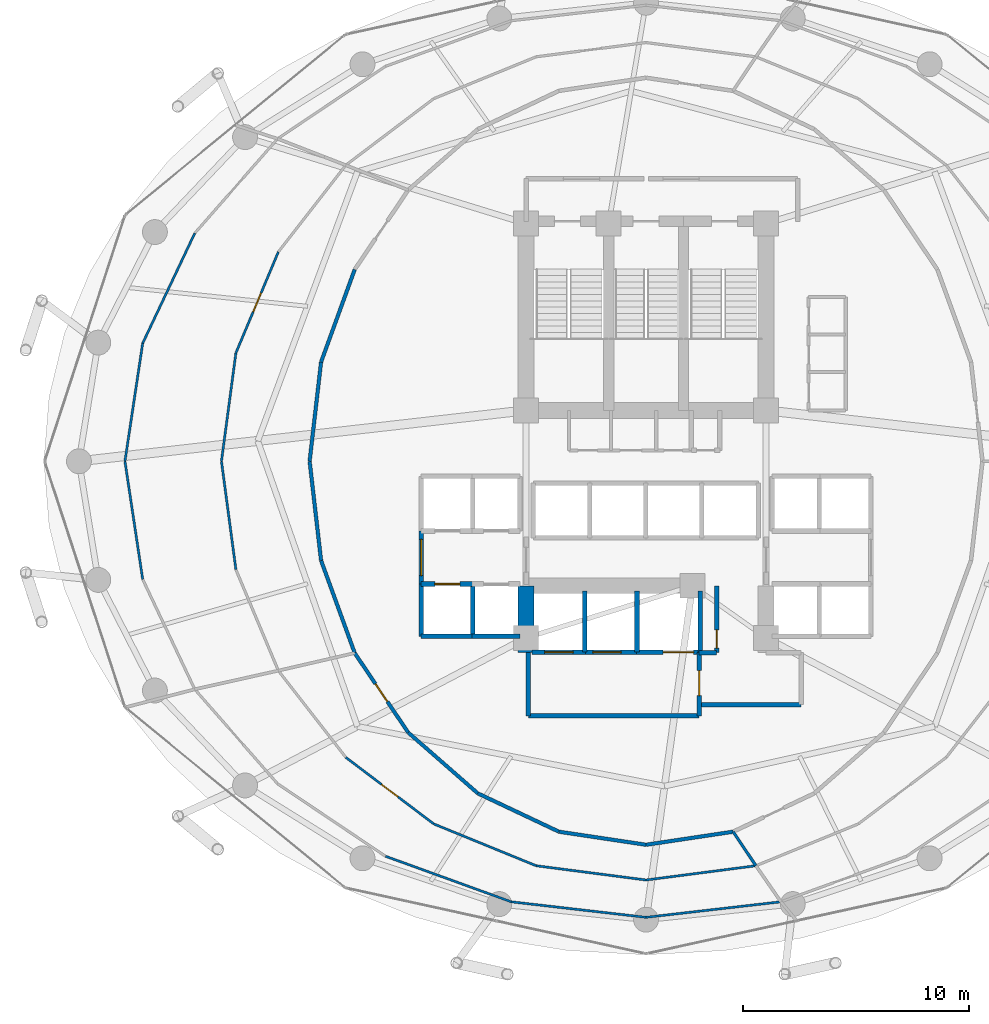
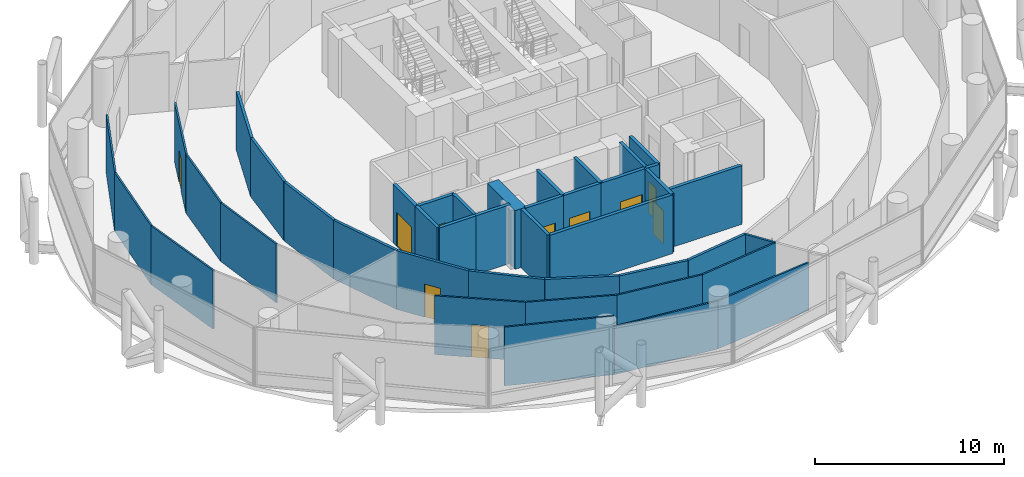
# One storey, part 21 of 26: 42 walls, 10 doors, 10 openings.
"""IFC4 building model written with IfcOpenShell, lengths in metres."""

import ifcopenshell
import ifcopenshell.guid

model = None  # the IFC model being written
_history = None  # IfcOwnerHistory: only IFC2X3 demands one
_inside = {}  # id of a spatial element -> (the spatial element, [elements in it])
_under = {}  # id of a project, library or spatial element -> (it, [spatial elements below it])
_declared = {}  # id of a project -> (the project, [libraries it declares])
_typed = {}  # id of a type object -> (the type object, [elements of that type])
_made_of = {}  # id of a material, layer set ... -> (it, [elements and type objects made of it])


def new_model(schema):
    """Start an empty IFC model of exactly this schema.

    Asked for "IFC4X3", IfcOpenShell would pick the latest addendum, in which some entities
    have other attributes; the version numbers below select the first issue.
    IFC2X3 requires an IfcOwnerHistory on every rooted entity: one is made here for all.
    """
    global model, _history
    if schema == "IFC4X3":
        model = ifcopenshell.file(schema_version=(4, 3, 0, 0))
    else:
        model = ifcopenshell.file(schema=schema)
    _inside.clear()
    _under.clear()
    _declared.clear()
    _typed.clear()
    _made_of.clear()
    _history = None
    if model.schema == "IFC2X3":
        org = make("IfcOrganization", Name="unknown")
        user = make(
            "IfcPersonAndOrganization",
            ThePerson=make("IfcPerson", FamilyName="unknown"),
            TheOrganization=org,
        )
        app = make(
            "IfcApplication",
            ApplicationDeveloper=org,
            Version="unknown",
            ApplicationFullName="unknown",
            ApplicationIdentifier="unknown",
        )
        _history = make(
            "IfcOwnerHistory",
            OwningUser=user,
            OwningApplication=app,
            ChangeAction="ADDED",
            CreationDate=0,
        )
    return model


def make(cls, **values):
    """One entity of the class cls with the attributes given. An attribute that is None is left unset."""
    return model.create_entity(
        cls, **{name: value for name, value in values.items() if value is not None}
    )


def rooted(cls, **values):
    """An entity with a GlobalId (a new one), such as an element, a storey or a relation."""
    return make(cls, GlobalId=ifcopenshell.guid.new(), OwnerHistory=_history, **values)


def si_unit(unit_type, name, prefix=None):
    """IfcSIUnit, for example si_unit("LENGTHUNIT", "METRE", prefix="MILLI")."""
    return make("IfcSIUnit", UnitType=unit_type, Prefix=prefix, Name=name)


def assignment(units):
    """IfcUnitAssignment: the units of a project."""
    return None if units is None else make("IfcUnitAssignment", Units=units)


def point(xyz):
    """IfcCartesianPoint."""
    return None if xyz is None else make("IfcCartesianPoint", Coordinates=xyz)


def direction(xyz):
    """IfcDirection."""
    return None if xyz is None else make("IfcDirection", DirectionRatios=xyz)


def frame(location, z_axis=None, x_axis=None):
    """IfcAxis2Placement3D, a coordinate frame: its origin and axes. An axis left out is left unset."""
    return make(
        "IfcAxis2Placement3D",
        Location=point(location),
        Axis=direction(z_axis),
        RefDirection=direction(x_axis),
    )


def frame_2d(location, x_axis=None):
    """IfcAxis2Placement2D, a coordinate frame in the plane: its origin and x axis."""
    return make(
        "IfcAxis2Placement2D", Location=point(location), RefDirection=direction(x_axis)
    )


def origin():
    """The frame at (0, 0, 0) with its axes left unset."""
    return frame((0.0, 0.0, 0.0))


def place(relative_to, where):
    """IfcLocalPlacement: puts the frame where relative to a parent placement (None: the world)."""
    return make(
        "IfcLocalPlacement", PlacementRelTo=relative_to, RelativePlacement=where
    )


def context(
    kind, dimensions, precision=None, world=None, true_north=None, identifier=None
):
    """IfcGeometricRepresentationContext, for example the 3D "Model" context."""
    return make(
        "IfcGeometricRepresentationContext",
        ContextIdentifier=identifier,
        ContextType=kind,
        CoordinateSpaceDimension=dimensions,
        Precision=precision,
        WorldCoordinateSystem=world,
        TrueNorth=true_north,
    )


def subcontext(parent, identifier, kind, view, scale=None):
    """IfcGeometricRepresentationSubContext, for example "Body" below "Model"."""
    return make(
        "IfcGeometricRepresentationSubContext",
        ContextIdentifier=identifier,
        ContextType=kind,
        ParentContext=parent,
        TargetScale=scale,
        TargetView=view,
    )


def project(units=None, contexts=None):
    """IfcProject with its units and contexts."""
    return rooted(
        "IfcProject",
        Name="project",
        RepresentationContexts=contexts,
        UnitsInContext=assignment(units),
    )


def spatial(cls, under=None, at=None, **own):
    """A site, building, storey or space (cls), placed at a placement, below another one or the project."""
    s = rooted(cls, ObjectPlacement=at, **own)
    if under is not None:
        _under.setdefault(under.id(), (under, []))[1].append(s)
    return s


def profile(cls, at=None, kind="AREA", **sizes):
    """A parametric profile (cls). Its sizes go by their IFC names, for example OverallWidth=200.0."""
    return make(cls, ProfileType=kind, Position=at, **sizes)


def rectangle(**sizes):
    """IfcRectangleProfileDef."""
    return profile("IfcRectangleProfileDef", **sizes)


def extrude(swept, where, along, depth):
    """IfcExtrudedAreaSolid: the profile swept, set in the frame where, extruded along a direction by depth."""
    return make(
        "IfcExtrudedAreaSolid",
        SweptArea=swept,
        Position=where,
        ExtrudedDirection=direction(along),
        Depth=depth,
    )


def shape(context_of_items, identifier, shape_type, items):
    """IfcShapeRepresentation: the items that make up one representation, for example the "Body"."""
    return make(
        "IfcShapeRepresentation",
        ContextOfItems=context_of_items,
        RepresentationIdentifier=identifier,
        RepresentationType=shape_type,
        Items=items,
    )


def material(Name=None, Category=None):
    """IfcMaterial."""
    return make("IfcMaterial", Name=Name, Category=Category)


def layer(
    of_material, thickness, ventilated=None, Name=None, Category=None, Priority=None
):
    """IfcMaterialLayer: one layer of a wall or slab, of a material (None: an air gap)."""
    return make(
        "IfcMaterialLayer",
        Material=of_material,
        LayerThickness=thickness,
        IsVentilated=ventilated,
        Name=Name,
        Category=Category,
        Priority=Priority,
    )


def layer_set(layers, Name=None):
    """IfcMaterialLayerSet."""
    return make("IfcMaterialLayerSet", MaterialLayers=layers, LayerSetName=Name)


def made_of(thing, what):
    """Note that an element or type object is made of a material, layer set ...; save() writes the relation."""
    if what is not None:
        _made_of.setdefault(what.id(), (what, []))[1].append(thing)
    return thing


def type_object(cls, material=None, **own):
    """A type object (cls), such as IfcWallType, which elements share."""
    return made_of(rooted(cls, **own), material)


def element(
    cls,
    number,
    at=None,
    inside=None,
    cuts=None,
    type_object=None,
    material=None,
    context=None,
    identifier="Body",
    shape_type=None,
    held_by="IfcProductDefinitionShape",
    body=None,
    shapes=None,
    **own,
):
    """One element of the class cls, such as IfcWall. Its Tag is "e" and its number.

    at: its placement. inside: the storey or other place that contains it. cuts: it is an
    opening in that element (IfcRelVoidsElement). A single representation is given by context,
    identifier, shape_type and body (its items); several are given by shapes. held_by: the class
    of the entity that holds the representations. save() writes the other relations.
    """
    e = rooted(cls, Tag="e%d" % number, ObjectPlacement=at, **own)
    if body is not None:
        shapes = [shape(context, identifier, shape_type, body)]
    if shapes is not None:
        e.Representation = make(held_by, Representations=shapes)
    if inside is not None:
        _inside.setdefault(inside.id(), (inside, []))[1].append(e)
    if cuts is not None:
        rooted(
            "IfcRelVoidsElement", RelatingBuildingElement=cuts, RelatedOpeningElement=e
        )
    if type_object is not None:
        _typed.setdefault(type_object.id(), (type_object, []))[1].append(e)
    return made_of(e, material)


def fill(opening, filler):
    """IfcRelFillsElement: the door or window that sits in an opening."""
    return rooted(
        "IfcRelFillsElement",
        RelatingOpeningElement=opening,
        RelatedBuildingElement=filler,
    )


def aggregate(whole, parts):
    """IfcRelAggregates: a whole, such as a stair, and the parts it consists of."""
    return rooted("IfcRelAggregates", RelatingObject=whole, RelatedObjects=parts)


def save(model, path):
    """Write the relations noted so far, then the file.

    IfcRelAggregates (storeys below a building ...), IfcRelContainedInSpatialStructure (elements
    in a storey), IfcRelDefinesByType, IfcRelAssociatesMaterial and IfcRelDeclares: one each for
    every whole, place, type object, material and project.
    """
    for whole, parts in _under.values():
        aggregate(whole, parts)
    for where, things in _inside.values():
        rooted(
            "IfcRelContainedInSpatialStructure",
            RelatedElements=things,
            RelatingStructure=where,
        )
    for kind, things in _typed.values():
        rooted("IfcRelDefinesByType", RelatedObjects=things, RelatingType=kind)
    for what, things in _made_of.values():
        rooted("IfcRelAssociatesMaterial", RelatedObjects=things, RelatingMaterial=what)
    for by, libraries in _declared.values():
        rooted("IfcRelDeclares", RelatingContext=by, RelatedDefinitions=libraries)
    model.write(path)


model = new_model("IFC4")

# Units and contexts
model_context = context("Model", 3, precision=1e-05, world=origin(), true_north=direction((0.0, 1.0)))
body_context = subcontext(model_context, "Body", "Model", "MODEL_VIEW")
ifc_project = project(units=[si_unit("LENGTHUNIT", "METRE"), si_unit("AREAUNIT", "SQUARE_METRE"), si_unit("VOLUMEUNIT", "CUBIC_METRE"), si_unit("PLANEANGLEUNIT", "RADIAN"), si_unit("MASSUNIT", "GRAM", prefix="KILO")], contexts=[model_context])

# Site, building, storey
site_placement = place(None, origin())
site = spatial("IfcSite", under=ifc_project, at=site_placement, CompositionType="ELEMENT")
building_placement = place(site_placement, origin())
building = spatial("IfcBuilding", under=site, at=building_placement, Name="Nuhasar Tower", CompositionType="ELEMENT")
storey_placement = place(building_placement, frame((0.0, 0.0, 97.949951171875)))
storey = spatial("IfcBuildingStorey", under=building, at=storey_placement, Name="L23", CompositionType="ELEMENT", Elevation=97.949951171875)

# Walls
ifc_material_1 = material(Name="Concrete C65/80", Category="concrete")
ifc_layer_1 = layer(ifc_material_1, 0.699951171875)
ifc_layer_set_1 = layer_set([ifc_layer_1], Name="Concrete C65/80")
wall_type_1 = type_object("IfcWallType", Name="WL-CORE-700", PredefinedType="SHEAR", material=ifc_layer_set_1)
wall_1_placement = place(storey_placement, frame((33.699951171875, 18.35009765625, 0.0), z_axis=(0.0, 0.0, 1.0), x_axis=(0.0, 1.0, 0.0)))
element("IfcWall", 1, at=wall_1_placement, inside=storey, type_object=wall_type_1, Name="L23 Core Shear Wall CW-SW CW-700", PredefinedType="SHEAR", context=body_context, shape_type="SweptSolid", body=[
    extrude(rectangle(XDim=2.949951171875, YDim=0.699951171875, at=frame_2d((1.47509765625, 0.0))), origin(), (0.0, 0.0, 1.0), 3.800048828125),
])
ifc_material_2 = material(Name="Gypsum Board", Category="gypsum")
ifc_layer_2 = layer(ifc_material_2, 0.159912109375)
ifc_layer_set_2 = layer_set([ifc_layer_2], Name="Gypsum Board")
wall_type_2 = type_object("IfcWallType", Name="WL-CORR-160", PredefinedType="PARTITIONING", material=ifc_layer_set_2)
wall_2_placement = place(storey_placement, frame((26.131103515625, 35.27001953125, 0.0), z_axis=(0.0, 0.0, 1.0), x_axis=(-0.341603281562, -0.939844241365, 0.0)))
element("IfcWall", 2, at=wall_2_placement, inside=storey, type_object=wall_type_2, Name="L23 Interior Partition CORR-20", PredefinedType="PARTITIONING", context=body_context, shape_type="SweptSolid", body=[
    extrude(rectangle(XDim=4.347412109375, YDim=0.159912109375, at=frame_2d((2.173828125, 0.0))), origin(), (0.0, 0.0, 1.0), 3.800048828125),
])
for number, where, z_axis, x_axis, name in (
    (3, (24.64599609375, 31.18408203125, 0.0), (0.0, 0.0, 1.0), (-0.114680801911, -0.993402392625, 0.0), "L23 Interior Partition CORR-22"),
    (4, (24.139892578125, 26.800048828125, 0.0), (0.0, 0.0, 1.0), (0.114680801911, -0.993402392625, 0.0), "L23 Interior Partition CORR-24"),
):
    element("IfcWall", number, at=place(storey_placement, frame(where, z_axis=z_axis, x_axis=x_axis)), inside=storey, type_object=wall_type_2, Name=name, PredefinedType="PARTITIONING", context=body_context, shape_type="SweptSolid", body=[
        extrude(rectangle(XDim=4.4130859375, YDim=0.159912109375, at=frame_2d((2.20654296875, 0.0))), origin(), (0.0, 0.0, 1.0), 3.800048828125),
    ])
wall_3_placement = place(storey_placement, frame((24.64599609375, 22.416015625, 0.0), z_axis=(0.0, 0.0, 1.0), x_axis=(0.341603281562, -0.939844241365, 0.0)))
element("IfcWall", 5, at=wall_3_placement, inside=storey, type_object=wall_type_2, Name="L23 Interior Partition CORR-26", PredefinedType="PARTITIONING", context=body_context, shape_type="SweptSolid", body=[
    extrude(rectangle(XDim=4.347412109375, YDim=0.159912109375, at=frame_2d((2.173828125, 0.0))), origin(), (0.0, 0.0, 1.0), 3.800048828125),
])

# Wall, opening, door
wall_4_placement = place(storey_placement, frame((28.491943359375, 14.822021484375, 0.0), z_axis=(0.0, 0.0, 1.0), x_axis=(-0.558319056182, 0.829626320402, 0.0)))
wall_4 = element("IfcWall", 6, at=wall_4_placement, inside=storey, type_object=wall_type_2, Name="L23 Interior Partition CORR-28", PredefinedType="PARTITIONING", context=body_context, shape_type="SweptSolid", body=[
    extrude(rectangle(XDim=4.228515625, YDim=0.159912109375, at=frame_2d((2.1142578125, 0.0))), origin(), (0.0, 0.0, 1.0), 3.800048828125),
])
opening_1_placement = place(wall_4_placement, frame((1.638916015625, 0.0, 0.0)))
opening_1 = element("IfcOpeningElement", 7, at=opening_1_placement, cuts=wall_4, Name="Opening DO-01", PredefinedType="OPENING", context=body_context, shape_type="SweptSolid", body=[
    extrude(rectangle(XDim=0.949951171875, YDim=2.14990234375, at=frame_2d((0.47509765625, 1.074951171875))), frame((0.0, 0.08984375, 0.0), z_axis=(0.0, -1.0, 0.0), x_axis=(1.0, 0.0, 0.0)), (0.0, 0.0, 1.0), 0.179931640625),
])
ifc_material_3 = material(Name="Timber Oak", Category="wood")
door_type_1 = type_object("IfcDoorType", Name="DR-OFFICE-FD30-950", OperationType="NOTDEFINED", PredefinedType="DOOR", material=ifc_material_3)
door_1_placement = place(opening_1_placement, origin())
door_1 = element("IfcDoor", 8, at=door_1_placement, inside=storey, type_object=door_type_1, Name="L23 Members Cigar Hall Entry Door", OperationType="SINGLE_SWING_LEFT", OverallHeight=2.14990234375, OverallWidth=0.949951171875, PredefinedType="DOOR", context=body_context, shape_type="SweptSolid", body=[
    extrude(rectangle(XDim=0.949951171875, YDim=2.14990234375, at=frame_2d((0.47509765625, 1.074951171875))), frame((0.0, 0.02490234375, 0.0), z_axis=(0.0, -1.0, 0.0), x_axis=(1.0, 0.0, 0.0)), (0.0, 0.0, 1.0), 0.050048828125),
])
fill(opening_1, door_1)

# Walls
wall_5_placement = place(storey_placement, frame((28.491943359375, 14.822021484375, 0.0), z_axis=(0.0, 0.0, 1.0), x_axis=(0.752724610228, -0.658335523238, 0.0)))
element("IfcWall", 9, at=wall_5_placement, inside=storey, type_object=wall_type_2, Name="L23 Interior Partition CORR-30", PredefinedType="PARTITIONING", context=body_context, shape_type="SweptSolid", body=[
    extrude(rectangle(XDim=4.08935546875, YDim=0.159912109375, at=frame_2d((2.044677734375, 0.0))), origin(), (0.0, 0.0, 1.0), 3.800048828125),
])
wall_6_placement = place(storey_placement, frame((31.570068359375, 12.1298828125, 0.0), z_axis=(0.0, 0.0, 1.0), x_axis=(0.904206361714, -0.427095838701, 0.0)))
element("IfcWall", 10, at=wall_6_placement, inside=storey, type_object=wall_type_2, Name="L23 Interior Partition CORR-32", PredefinedType="PARTITIONING", context=body_context, shape_type="SweptSolid", body=[
    extrude(rectangle(XDim=3.963623046875, YDim=0.159912109375, at=frame_2d((1.98193359375, 0.0))), origin(), (0.0, 0.0, 1.0), 3.800048828125),
])
for number, where, z_axis, x_axis, name in (
    (11, (35.154052734375, 10.43701171875, 0.0), (0.0, 0.0, 1.0), (0.988935892392, -0.14834352274, 0.0), "L23 Interior Partition CORR-34"),
    (12, (39.0, 9.860107421875, 0.0), (0.0, 0.0, 1.0), (0.988935892392, 0.14834352274, 0.0), "L23 Interior Partition CORR-36"),
):
    element("IfcWall", number, at=place(storey_placement, frame(where, z_axis=z_axis, x_axis=x_axis)), inside=storey, type_object=wall_type_2, Name=name, PredefinedType="PARTITIONING", context=body_context, shape_type="SweptSolid", body=[
        extrude(rectangle(XDim=3.888916015625, YDim=0.159912109375, at=frame_2d((1.9443359375, 0.0))), origin(), (0.0, 0.0, 1.0), 3.800048828125),
    ])

# Wall, opening, door
ifc_material_4 = material(Name="Concrete C45/55", Category="concrete")
ifc_layer_3 = layer(ifc_material_4, 0.199951171875)
ifc_layer_set_3 = layer_set([ifc_layer_3], Name="Concrete C45/55")
wall_type_3 = type_object("IfcWallType", Name="WL-LOBBY-200", PredefinedType="SOLIDWALL", material=ifc_layer_set_3)
wall_7_placement = place(storey_placement, frame((29.070068359375, 21.3798828125, 0.0), z_axis=(0.0, 0.0, 1.0), x_axis=(0.0, 1.0, 0.0)))
wall_7 = element("IfcWall", 13, at=wall_7_placement, inside=storey, type_object=wall_type_3, Name="L23 Interior Partition LLBL-W", PredefinedType="SOLIDWALL", context=body_context, shape_type="SweptSolid", body=[
    extrude(rectangle(XDim=2.340087890625, YDim=0.199951171875, at=frame_2d((1.169921875, 0.0))), origin(), (0.0, 0.0, 1.0), 3.800048828125),
])
opening_2_placement = place(wall_7_placement, frame((0.3701171875, 0.0, 0.0)))
opening_2 = element("IfcOpeningElement", 14, at=opening_2_placement, cuts=wall_7, Name="Opening DC-01", PredefinedType="OPENING", context=body_context, shape_type="SweptSolid", body=[
    extrude(rectangle(XDim=1.60009765625, YDim=2.199951171875, at=frame_2d((0.800048828125, 1.10009765625))), frame((0.0, 0.10986328125, 0.0), z_axis=(0.0, -1.0, 0.0), x_axis=(1.0, 0.0, 0.0)), (0.0, 0.0, 1.0), 0.219970703125),
])
ifc_material_5 = material(Name="Steel S355", Category="steel")
door_type_2 = type_object("IfcDoorType", Name="DR-CORR-FD60-1600", OperationType="DOUBLE_DOOR_SINGLE_SWING", PredefinedType="DOOR", material=ifc_material_5)
door_2_placement = place(opening_2_placement, origin())
door_2 = element("IfcDoor", 15, at=door_2_placement, inside=storey, type_object=door_type_2, Name="L23 Low-Rise Lift Lobby West Entry", OperationType="DOUBLE_DOOR_SINGLE_SWING", OverallHeight=2.199951171875, OverallWidth=1.60009765625, PredefinedType="DOOR", context=body_context, shape_type="SweptSolid", body=[
    extrude(rectangle(XDim=1.60009765625, YDim=2.199951171875, at=frame_2d((0.800048828125, 1.10009765625))), frame((0.0, 0.02490234375, 0.0), z_axis=(0.0, -1.0, 0.0), x_axis=(1.0, 0.0, 0.0)), (0.0, 0.0, 1.0), 0.050048828125),
])
fill(opening_2, door_2)

# Walls
wall_8_placement = place(storey_placement, frame((33.800048828125, 15.550048828125, 0.0), z_axis=(0.0, 0.0, 1.0), x_axis=(1.0, 0.0, 0.0)))
element("IfcWall", 16, at=wall_8_placement, inside=storey, type_object=wall_type_3, Name="L23 Interior Partition FFL-S", PredefinedType="SOLIDWALL", context=body_context, shape_type="SweptSolid", body=[
    extrude(rectangle(XDim=7.550048828125, YDim=0.199951171875, at=frame_2d((3.77490234375, 0.0))), origin(), (0.0, 0.0, 1.0), 3.800048828125),
])
wall_9_placement = place(storey_placement, frame((33.800048828125, 15.550048828125, 0.0), z_axis=(0.0, 0.0, 1.0), x_axis=(0.0, 1.0, 0.0)))
element("IfcWall", 17, at=wall_9_placement, inside=storey, type_object=wall_type_3, Name="L23 Interior Partition FFL-W", PredefinedType="SOLIDWALL", context=body_context, shape_type="SweptSolid", body=[
    extrude(rectangle(XDim=2.800048828125, YDim=0.199951171875, at=frame_2d((1.39990234375, 0.0))), origin(), (0.0, 0.0, 1.0), 3.800048828125),
])

# Wall, opening, door
wall_10_placement = place(storey_placement, frame((41.35009765625, 15.550048828125, 0.0), z_axis=(0.0, 0.0, 1.0), x_axis=(0.0, 1.0, 0.0)))
wall_10 = element("IfcWall", 18, at=wall_10_placement, inside=storey, type_object=wall_type_3, Name="L23 Interior Partition FFL-E", PredefinedType="SOLIDWALL", context=body_context, shape_type="SweptSolid", body=[
    extrude(rectangle(XDim=2.800048828125, YDim=0.199951171875, at=frame_2d((1.39990234375, 0.0))), origin(), (0.0, 0.0, 1.0), 3.800048828125),
])
opening_3_placement = place(wall_10_placement, frame((0.89990234375, 0.0, 0.0)))
opening_3 = element("IfcOpeningElement", 19, at=opening_3_placement, cuts=wall_10, Name="Opening DS-02", PredefinedType="OPENING", context=body_context, shape_type="SweptSolid", body=[
    extrude(rectangle(XDim=1.10009765625, YDim=2.14990234375, at=frame_2d((0.550048828125, 1.074951171875))), frame((0.0, 0.10986328125, 0.0), z_axis=(0.0, -1.0, 0.0), x_axis=(1.0, 0.0, 0.0)), (0.0, 0.0, 1.0), 0.219970703125),
])
door_type_3 = type_object("IfcDoorType", Name="DR-FFL-FD120-1100", OperationType="NOTDEFINED", PredefinedType="DOOR", material=ifc_material_5)
door_3_placement = place(opening_3_placement, origin())
door_3 = element("IfcDoor", 20, at=door_3_placement, inside=storey, type_object=door_type_3, Name="L23 Firefighting Lobby Door", OperationType="SINGLE_SWING_RIGHT", OverallHeight=2.14990234375, OverallWidth=1.10009765625, PredefinedType="DOOR", context=body_context, shape_type="SweptSolid", body=[
    extrude(rectangle(XDim=1.10009765625, YDim=2.14990234375, at=frame_2d((0.550048828125, 1.074951171875))), frame((0.0, 0.02490234375, 0.0), z_axis=(0.0, -1.0, 0.0), x_axis=(1.0, 0.0, 0.0)), (0.0, 0.0, 1.0), 0.050048828125),
])
fill(opening_3, door_3)

# Wall
wall_11_placement = place(storey_placement, frame((41.35009765625, 16.050048828125, 0.0), z_axis=(0.0, 0.0, 1.0), x_axis=(1.0, 0.0, 0.0)))
element("IfcWall", 21, at=wall_11_placement, inside=storey, type_object=wall_type_3, Name="L23 Interior Partition SVLV-S", PredefinedType="SOLIDWALL", context=body_context, shape_type="SweptSolid", body=[
    extrude(rectangle(XDim=4.5, YDim=0.199951171875, at=frame_2d((2.25, 0.0))), origin(), (0.0, 0.0, 1.0), 3.800048828125),
])

# Wall, opening, door
ifc_material_6 = material(Name="Aluminium 6063-T6", Category="aluminium")
ifc_layer_4 = layer(ifc_material_6, 0.10009765625)
ifc_layer_set_4 = layer_set([ifc_layer_4], Name="Aluminium 6063-T6")
wall_type_4 = type_object("IfcWallType", Name="WL-MOVABLE-100", PredefinedType="MOVABLE", material=ifc_layer_set_4)
wall_12_placement = place(storey_placement, frame((22.758056640625, 36.048095703125, 0.0), z_axis=(0.0, 0.0, 1.0), x_axis=(-0.387289954907, -0.921957965869, 0.0)))
wall_12 = element("IfcWall", 22, at=wall_12_placement, inside=storey, type_object=wall_type_4, Name="L23 Interior Partition OR1-03-20", PredefinedType="MOVABLE", context=body_context, shape_type="SweptSolid", body=[
    extrude(rectangle(XDim=4.8388671875, YDim=0.10009765625, at=frame_2d((2.41943359375, 0.0))), origin(), (0.0, 0.0, 1.0), 3.800048828125),
])
opening_4_placement = place(wall_12_placement, frame((1.968994140625, 0.0, 0.0)))
opening_4 = element("IfcOpeningElement", 23, at=opening_4_placement, cuts=wall_12, Name="Opening DR-01", PredefinedType="OPENING", context=body_context, shape_type="SweptSolid", body=[
    extrude(rectangle(XDim=0.89990234375, YDim=2.10009765625, at=frame_2d((0.449951171875, 1.050048828125))), frame((0.0, 0.06005859375, 0.0), z_axis=(0.0, -1.0, 0.0), x_axis=(1.0, 0.0, 0.0)), (0.0, 0.0, 1.0), 0.1201171875),
])
door_type_4 = type_object("IfcDoorType", Name="DR-ROOM-900", OperationType="NOTDEFINED", PredefinedType="DOOR", material=ifc_material_3)
door_4_placement = place(opening_4_placement, origin())
door_4 = element("IfcDoor", 24, at=door_4_placement, inside=storey, type_object=door_type_4, Name="L23 Private Art Gallery Shop Mid Door", OperationType="SINGLE_SWING_LEFT", OverallHeight=2.10009765625, OverallWidth=0.89990234375, PredefinedType="DOOR", context=body_context, shape_type="SweptSolid", body=[
    extrude(rectangle(XDim=0.89990234375, YDim=2.10009765625, at=frame_2d((0.449951171875, 1.050048828125))), frame((0.0, 0.02490234375, 0.0), z_axis=(0.0, -1.0, 0.0), x_axis=(1.0, 0.0, 0.0)), (0.0, 0.0, 1.0), 0.050048828125),
])
fill(opening_4, door_4)

# Walls
wall_13_placement = place(storey_placement, frame((20.884033203125, 31.5869140625, 0.0), z_axis=(0.0, 0.0, 1.0), x_axis=(-0.132299485803, -0.991209789125, 0.0)))
element("IfcWall", 25, at=wall_13_placement, inside=storey, type_object=wall_type_4, Name="L23 Interior Partition OR1-03-22", PredefinedType="MOVABLE", context=body_context, shape_type="SweptSolid", body=[
    extrude(rectangle(XDim=4.829345703125, YDim=0.10009765625, at=frame_2d((2.41455078125, 0.0))), origin(), (0.0, 0.0, 1.0), 3.800048828125),
])
wall_14_placement = place(storey_placement, frame((20.2451171875, 26.800048828125, 0.0), z_axis=(0.0, 0.0, 1.0), x_axis=(0.132292856672, -0.99121067391, 0.0)))
element("IfcWall", 26, at=wall_14_placement, inside=storey, type_object=wall_type_4, Name="L23 Interior Partition OR1-03-24", PredefinedType="MOVABLE", context=body_context, shape_type="SweptSolid", body=[
    extrude(rectangle(XDim=4.82958984375, YDim=0.10009765625, at=frame_2d((2.414794921875, 0.0))), origin(), (0.0, 0.0, 1.0), 3.800048828125),
])
wall_15_placement = place(storey_placement, frame((19.06591796875, 36.873046875, 0.0), z_axis=(0.0, 0.0, 1.0), x_axis=(-0.42779935224, -0.903873726924, 0.0)))
element("IfcWall", 27, at=wall_15_placement, inside=storey, type_object=wall_type_4, Name="L23 Interior Partition OR2-03-20", PredefinedType="MOVABLE", context=body_context, shape_type="SweptSolid", body=[
    extrude(rectangle(XDim=5.3759765625, YDim=0.10009765625, at=frame_2d((2.68798828125, 0.0))), origin(), (0.0, 0.0, 1.0), 3.800048828125),
])
wall_16_placement = place(storey_placement, frame((16.76611328125, 32.013916015625, 0.0), z_axis=(0.0, 0.0, 1.0), x_axis=(-0.148729896957, -0.988877857853, 0.0)))
element("IfcWall", 28, at=wall_16_placement, inside=storey, type_object=wall_type_4, Name="L23 Interior Partition OR2-03-22", PredefinedType="MOVABLE", context=body_context, shape_type="SweptSolid", body=[
    extrude(rectangle(XDim=5.2724609375, YDim=0.10009765625, at=frame_2d((2.63623046875, 0.0))), origin(), (0.0, 0.0, 1.0), 3.800048828125),
])
wall_17_placement = place(storey_placement, frame((15.98193359375, 26.800048828125, 0.0), z_axis=(0.0, 0.0, 1.0), x_axis=(0.148723087006, -0.988878882064, 0.0)))
element("IfcWall", 29, at=wall_17_placement, inside=storey, type_object=wall_type_4, Name="L23 Interior Partition OR2-03-24", PredefinedType="MOVABLE", context=body_context, shape_type="SweptSolid", body=[
    extrude(rectangle(XDim=5.272705078125, YDim=0.10009765625, at=frame_2d((2.63623046875, 0.0))), origin(), (0.0, 0.0, 1.0), 3.800048828125),
])

# Wall, opening, door
wall_18_placement = place(storey_placement, frame((25.738037109375, 13.720947265625, 0.0), z_axis=(0.0, 0.0, 1.0), x_axis=(0.797436371063, -0.603403044494, 0.0)))
wall_18 = element("IfcWall", 30, at=wall_18_placement, inside=storey, type_object=wall_type_4, Name="L23 Interior Partition OR1-04-30", PredefinedType="MOVABLE", context=body_context, shape_type="SweptSolid", body=[
    extrude(rectangle(XDim=4.87060546875, YDim=0.10009765625, at=frame_2d((2.435302734375, 0.0))), origin(), (0.0, 0.0, 1.0), 3.800048828125),
])
opening_5_placement = place(wall_18_placement, frame((1.985107421875, 0.0, 0.0)))
opening_5 = element("IfcOpeningElement", 31, at=opening_5_placement, cuts=wall_18, Name="Opening DR-01", PredefinedType="OPENING", context=body_context, shape_type="SweptSolid", body=[
    extrude(rectangle(XDim=0.89990234375, YDim=2.10009765625, at=frame_2d((0.449951171875, 1.050048828125))), frame((0.0, 0.06005859375, 0.0), z_axis=(0.0, -1.0, 0.0), x_axis=(1.0, 0.0, 0.0)), (0.0, 0.0, 1.0), 0.1201171875),
])
door_5_placement = place(opening_5_placement, origin())
door_5 = element("IfcDoor", 32, at=door_5_placement, inside=storey, type_object=door_type_4, Name="L23 Members Cigar Hall Mid Door", OperationType="SINGLE_SWING_RIGHT", OverallHeight=2.10009765625, OverallWidth=0.89990234375, PredefinedType="DOOR", context=body_context, shape_type="SweptSolid", body=[
    extrude(rectangle(XDim=0.89990234375, YDim=2.10009765625, at=frame_2d((0.449951171875, 1.050048828125))), frame((0.0, 0.02490234375, 0.0), z_axis=(0.0, -1.0, 0.0), x_axis=(1.0, 0.0, 0.0)), (0.0, 0.0, 1.0), 0.050048828125),
])
fill(opening_5, door_5)

# Walls
wall_19_placement = place(storey_placement, frame((29.6220703125, 10.781982421875, 0.0), z_axis=(0.0, 0.0, 1.0), x_axis=(0.925747371304, -0.378142571689, 0.0)))
element("IfcWall", 33, at=wall_19_placement, inside=storey, type_object=wall_type_4, Name="L23 Interior Partition OR1-04-32", PredefinedType="MOVABLE", context=body_context, shape_type="SweptSolid", body=[
    extrude(rectangle(XDim=4.88671875, YDim=0.10009765625, at=frame_2d((2.443359375, 0.0))), origin(), (0.0, 0.0, 1.0), 3.800048828125),
])
for number, where, z_axis, x_axis, name in (
    (34, (34.14599609375, 8.93408203125, 0.0), (0.0, 0.0, 1.0), (0.991678938749, -0.128735707721, 0.0), "L23 Interior Partition OR1-04-34"),
    (35, (39.0, 8.303955078125, 0.0), (0.0, 0.0, 1.0), (0.991678938749, 0.128735707721, 0.0), "L23 Interior Partition OR1-04-36"),
):
    element("IfcWall", number, at=place(storey_placement, frame(where, z_axis=z_axis, x_axis=x_axis)), inside=storey, type_object=wall_type_4, Name=name, PredefinedType="MOVABLE", context=body_context, shape_type="SweptSolid", body=[
        extrude(rectangle(XDim=4.894775390625, YDim=0.10009765625, at=frame_2d((2.447265625, 0.0))), origin(), (0.0, 0.0, 1.0), 3.800048828125),
    ])
wall_20_placement = place(storey_placement, frame((27.490966796875, 9.35400390625, 0.0), z_axis=(0.0, 0.0, 1.0), x_axis=(0.940117685929, -0.340850020689, 0.0)))
element("IfcWall", 36, at=wall_20_placement, inside=storey, type_object=wall_type_4, Name="L23 Interior Partition OR2-04-32", PredefinedType="MOVABLE", context=body_context, shape_type="SweptSolid", body=[
    extrude(rectangle(XDim=5.90576171875, YDim=0.10009765625, at=frame_2d((2.952880859375, 0.0))), origin(), (0.0, 0.0, 1.0), 3.800048828125),
])
for number, where, z_axis, x_axis, name in (
    (37, (33.04296875, 7.341064453125, 0.0), (0.0, 0.0, 1.0), (0.993433875949, -0.114407753747, 0.0), "L23 Interior Partition OR2-04-34"),
    (38, (39.0, 6.655029296875, 0.0), (0.0, 0.0, 1.0), (0.993433875949, 0.114407753747, 0.0), "L23 Interior Partition OR2-04-36"),
):
    element("IfcWall", number, at=place(storey_placement, frame(where, z_axis=z_axis, x_axis=x_axis)), inside=storey, type_object=wall_type_4, Name=name, PredefinedType="MOVABLE", context=body_context, shape_type="SweptSolid", body=[
        extrude(rectangle(XDim=5.996337890625, YDim=0.10009765625, at=frame_2d((2.998046875, 0.0))), origin(), (0.0, 0.0, 1.0), 3.10498046875),
    ])
ifc_layer_5 = layer(ifc_material_2, 0.125)
ifc_layer_set_5 = layer_set([ifc_layer_5], Name="Gypsum Board")
wall_type_5 = type_object("IfcWallType", Name="WL-PART-125", PredefinedType="PARTITIONING", material=ifc_layer_set_5)
wall_21_placement = place(storey_placement, frame((42.845947265625, 10.43701171875, 0.0), z_axis=(0.0, 0.0, 1.0), x_axis=(0.557032949089, -0.83049039346, 0.0)))
element("IfcWall", 39, at=wall_21_placement, inside=storey, type_object=wall_type_5, Name="L23 Interior Partition ORAD7-38-S1", PredefinedType="PARTITIONING", context=body_context, shape_type="SweptSolid", body=[
    extrude(rectangle(XDim=1.8095703125, YDim=0.125, at=frame_2d((0.90478515625, 0.0))), origin(), (0.0, 0.0, 1.0), 3.800048828125),
])
ifc_layer_6 = layer(ifc_material_4, 0.199951171875)
ifc_layer_set_6 = layer_set([ifc_layer_6], Name="Concrete C45/55")
wall_type_6 = type_object("IfcWallType", Name="WL-SHAFT-200", PredefinedType="SOLIDWALL", material=ifc_layer_set_6)
wall_22_placement = place(storey_placement, frame((29.070068359375, 19.070068359375, 0.0), z_axis=(0.0, 0.0, 1.0), x_axis=(1.0, 0.0, 0.0)))
element("IfcWall", 40, at=wall_22_placement, inside=storey, type_object=wall_type_6, Name="L23 Interior Partition SHF-PL-L03-S", PredefinedType="SOLIDWALL", context=body_context, shape_type="SweptSolid", body=[
    extrude(rectangle(XDim=2.309814453125, YDim=0.199951171875, at=frame_2d((1.15478515625, 0.0))), origin(), (0.0, 0.0, 1.0), 3.800048828125),
])

# Wall, opening, door
wall_23_placement = place(storey_placement, frame((29.070068359375, 21.3798828125, 0.0), z_axis=(0.0, 0.0, 1.0), x_axis=(1.0, 0.0, 0.0)))
wall_23 = element("IfcWall", 41, at=wall_23_placement, inside=storey, type_object=wall_type_6, Name="L23 Interior Partition SHF-PL-L03-N", PredefinedType="SOLIDWALL", context=body_context, shape_type="SweptSolid", body=[
    extrude(rectangle(XDim=2.309814453125, YDim=0.199951171875, at=frame_2d((1.15478515625, 0.0))), origin(), (0.0, 0.0, 1.0), 3.800048828125),
])
opening_6_placement = place(wall_23_placement, frame((0.60498046875, 0.0, 0.0)))
opening_6 = element("IfcOpeningElement", 42, at=opening_6_placement, cuts=wall_23, Name="Opening LD-L03", PredefinedType="OPENING", context=body_context, shape_type="SweptSolid", body=[
    extrude(rectangle(XDim=1.10009765625, YDim=2.14990234375, at=frame_2d((0.550048828125, 1.074951171875))), frame((0.0, 0.10986328125, 0.0), z_axis=(0.0, -1.0, 0.0), x_axis=(1.0, 0.0, 0.0)), (0.0, 0.0, 1.0), 0.219970703125),
])
ifc_material_7 = material(Name="Stainless Steel 316L", Category="steel")
door_type_5 = type_object("IfcDoorType", Name="LD-PAX-1100", OperationType="DOUBLE_DOOR_SLIDING", PredefinedType="DOOR", material=ifc_material_7)
door_6_placement = place(opening_6_placement, origin())
door_6 = element("IfcDoor", 43, at=door_6_placement, inside=storey, type_object=door_type_5, Name="L23 Lift Landing Door PL-L03", OperationType="DOUBLE_DOOR_SLIDING", OverallHeight=2.14990234375, OverallWidth=1.10009765625, PredefinedType="DOOR", context=body_context, shape_type="SweptSolid", body=[
    extrude(rectangle(XDim=1.10009765625, YDim=2.14990234375, at=frame_2d((0.550048828125, 1.074951171875))), frame((0.0, 0.02490234375, 0.0), z_axis=(0.0, -1.0, 0.0), x_axis=(1.0, 0.0, 0.0)), (0.0, 0.0, 1.0), 0.050048828125),
])
fill(opening_6, door_6)

# Walls
for number, where, z_axis, x_axis, name in (
    (44, (29.070068359375, 19.070068359375, 0.0), (0.0, 0.0, 1.0), (0.0, 1.0, 0.0), "L23 Interior Partition SHF-PL-L03-W"),
    (45, (31.35009765625, 19.070068359375, 0.0), (0.0, 0.0, 1.0), (0.0, 1.0, 0.0), "L23 Interior Partition SHF-PL-L03-E"),
):
    element("IfcWall", number, at=place(storey_placement, frame(where, z_axis=z_axis, x_axis=x_axis)), inside=storey, type_object=wall_type_6, Name=name, PredefinedType="SOLIDWALL", context=body_context, shape_type="SweptSolid", body=[
        extrude(rectangle(XDim=2.309814453125, YDim=0.199951171875, at=frame_2d((1.15478515625, 0.0))), origin(), (0.0, 0.0, 1.0), 3.800048828125),
    ])
wall_24_placement = place(storey_placement, frame((31.320068359375, 19.070068359375, 0.0), z_axis=(0.0, 0.0, 1.0), x_axis=(1.0, 0.0, 0.0)))
element("IfcWall", 46, at=wall_24_placement, inside=storey, type_object=wall_type_6, Name="L23 Interior Partition SHF-PL-L04-S", PredefinedType="SOLIDWALL", context=body_context, shape_type="SweptSolid", body=[
    extrude(rectangle(XDim=2.10986328125, YDim=0.199951171875, at=frame_2d((1.054931640625, 0.0))), origin(), (0.0, 0.0, 1.0), 3.800048828125),
])

# Wall, opening, door
wall_25_placement = place(storey_placement, frame((33.969970703125, 18.3701171875, 0.0), z_axis=(0.0, 0.0, 1.0), x_axis=(1.0, 0.0, 0.0)))
wall_25 = element("IfcWall", 47, at=wall_25_placement, inside=storey, type_object=wall_type_6, Name="L23 Interior Partition SHF-FFL-01-S", PredefinedType="SOLIDWALL", context=body_context, shape_type="SweptSolid", body=[
    extrude(rectangle(XDim=2.360107421875, YDim=0.199951171875, at=frame_2d((1.18017578125, 0.0))), origin(), (0.0, 0.0, 1.0), 3.800048828125),
])
opening_7_placement = place(wall_25_placement, frame((0.554931640625, 0.0, 0.0)))
opening_7 = element("IfcOpeningElement", 48, at=opening_7_placement, cuts=wall_25, Name="Opening LD-F01", PredefinedType="OPENING", context=body_context, shape_type="SweptSolid", body=[
    extrude(rectangle(XDim=1.25, YDim=2.199951171875, at=frame_2d((0.625, 1.10009765625))), frame((0.0, 0.10986328125, 0.0), z_axis=(0.0, -1.0, 0.0), x_axis=(1.0, 0.0, 0.0)), (0.0, 0.0, 1.0), 0.219970703125),
])
door_type_6 = type_object("IfcDoorType", Name="LD-FFL-1250", OperationType="DOUBLE_DOOR_SLIDING", PredefinedType="DOOR", material=ifc_material_7)
door_7_placement = place(opening_7_placement, origin())
door_7 = element("IfcDoor", 49, at=door_7_placement, inside=storey, type_object=door_type_6, Name="L23 Lift Landing Door FFL-01", OperationType="DOUBLE_DOOR_SLIDING", OverallHeight=2.199951171875, OverallWidth=1.25, PredefinedType="DOOR", context=body_context, shape_type="SweptSolid", body=[
    extrude(rectangle(XDim=1.25, YDim=2.199951171875, at=frame_2d((0.625, 1.10009765625))), frame((0.0, 0.02490234375, 0.0), z_axis=(0.0, -1.0, 0.0), x_axis=(1.0, 0.0, 0.0)), (0.0, 0.0, 1.0), 0.050048828125),
])
fill(opening_7, door_7)

# Wall
wall_26_placement = place(storey_placement, frame((36.300048828125, 18.3701171875, 0.0), z_axis=(0.0, 0.0, 1.0), x_axis=(0.0, 1.0, 0.0)))
element("IfcWall", 50, at=wall_26_placement, inside=storey, type_object=wall_type_6, Name="L23 Interior Partition SHF-FFL-01-E", PredefinedType="SOLIDWALL", context=body_context, shape_type="SweptSolid", body=[
    extrude(rectangle(XDim=2.7099609375, YDim=0.199951171875, at=frame_2d((1.35498046875, 0.0))), origin(), (0.0, 0.0, 1.0), 3.800048828125),
])

# Wall, opening, door
wall_27_placement = place(storey_placement, frame((36.27001953125, 18.3701171875, 0.0), z_axis=(0.0, 0.0, 1.0), x_axis=(1.0, 0.0, 0.0)))
wall_27 = element("IfcWall", 51, at=wall_27_placement, inside=storey, type_object=wall_type_6, Name="L23 Interior Partition SHF-FFL-02-S", PredefinedType="SOLIDWALL", context=body_context, shape_type="SweptSolid", body=[
    extrude(rectangle(XDim=2.35986328125, YDim=0.199951171875, at=frame_2d((1.179931640625, 0.0))), origin(), (0.0, 0.0, 1.0), 3.800048828125),
])
opening_8_placement = place(wall_27_placement, frame((0.3798828125, 0.0, 0.0)))
opening_8 = element("IfcOpeningElement", 52, at=opening_8_placement, cuts=wall_27, Name="Opening LD-F02", PredefinedType="OPENING", context=body_context, shape_type="SweptSolid", body=[
    extrude(rectangle(XDim=1.25, YDim=2.199951171875, at=frame_2d((0.625, 1.10009765625))), frame((0.0, 0.10986328125, 0.0), z_axis=(0.0, -1.0, 0.0), x_axis=(1.0, 0.0, 0.0)), (0.0, 0.0, 1.0), 0.219970703125),
])
door_8_placement = place(opening_8_placement, origin())
door_8 = element("IfcDoor", 53, at=door_8_placement, inside=storey, type_object=door_type_6, Name="L23 Lift Landing Door FFL-02", OperationType="DOUBLE_DOOR_SLIDING", OverallHeight=2.199951171875, OverallWidth=1.25, PredefinedType="DOOR", context=body_context, shape_type="SweptSolid", body=[
    extrude(rectangle(XDim=1.25, YDim=2.199951171875, at=frame_2d((0.625, 1.10009765625))), frame((0.0, 0.02490234375, 0.0), z_axis=(0.0, -1.0, 0.0), x_axis=(1.0, 0.0, 0.0)), (0.0, 0.0, 1.0), 0.050048828125),
])
fill(opening_8, door_8)

# Wall
wall_28_placement = place(storey_placement, frame((38.60009765625, 18.3701171875, 0.0), z_axis=(0.0, 0.0, 1.0), x_axis=(0.0, 1.0, 0.0)))
element("IfcWall", 54, at=wall_28_placement, inside=storey, type_object=wall_type_6, Name="L23 Interior Partition SHF-FFL-02-E", PredefinedType="SOLIDWALL", context=body_context, shape_type="SweptSolid", body=[
    extrude(rectangle(XDim=2.7099609375, YDim=0.199951171875, at=frame_2d((1.35498046875, 0.0))), origin(), (0.0, 0.0, 1.0), 3.800048828125),
])

# Wall, opening, door
wall_29_placement = place(storey_placement, frame((38.570068359375, 18.3701171875, 0.0), z_axis=(0.0, 0.0, 1.0), x_axis=(1.0, 0.0, 0.0)))
wall_29 = element("IfcWall", 55, at=wall_29_placement, inside=storey, type_object=wall_type_6, Name="L23 Interior Partition SHF-SVL-01-S", PredefinedType="SOLIDWALL", context=body_context, shape_type="SweptSolid", body=[
    extrude(rectangle(XDim=2.829833984375, YDim=0.199951171875, at=frame_2d((1.4150390625, 0.0))), origin(), (0.0, 0.0, 1.0), 3.800048828125),
])
opening_9_placement = place(wall_29_placement, frame((1.179931640625, 0.0, 0.0)))
opening_9 = element("IfcOpeningElement", 56, at=opening_9_placement, cuts=wall_29, Name="Opening LD-S01", PredefinedType="OPENING", context=body_context, shape_type="SweptSolid", body=[
    extrude(rectangle(XDim=1.35009765625, YDim=2.179931640625, at=frame_2d((0.675048828125, 1.08984375))), frame((0.0, 0.10986328125, 0.0), z_axis=(0.0, -1.0, 0.0), x_axis=(1.0, 0.0, 0.0)), (0.0, 0.0, 1.0), 0.219970703125),
])
door_type_7 = type_object("IfcDoorType", Name="LD-SVL-1350", OperationType="DOUBLE_DOOR_SLIDING", PredefinedType="DOOR", material=ifc_material_7)
door_9_placement = place(opening_9_placement, origin())
door_9 = element("IfcDoor", 57, at=door_9_placement, inside=storey, type_object=door_type_7, Name="L23 Lift Landing Door SVL-01", OperationType="DOUBLE_DOOR_SLIDING", OverallHeight=2.179931640625, OverallWidth=1.35009765625, PredefinedType="DOOR", context=body_context, shape_type="SweptSolid", body=[
    extrude(rectangle(XDim=1.35009765625, YDim=2.179931640625, at=frame_2d((0.675048828125, 1.08984375))), frame((0.0, 0.02490234375, 0.0), z_axis=(0.0, -1.0, 0.0), x_axis=(1.0, 0.0, 0.0)), (0.0, 0.0, 1.0), 0.050048828125),
])
fill(opening_9, door_9)

# Wall
wall_30_placement = place(storey_placement, frame((41.39990234375, 18.3701171875, 0.0), z_axis=(0.0, 0.0, 1.0), x_axis=(0.0, 1.0, 0.0)))
element("IfcWall", 58, at=wall_30_placement, inside=storey, type_object=wall_type_6, Name="L23 Interior Partition SHF-SVL-01-E", PredefinedType="SOLIDWALL", context=body_context, shape_type="SweptSolid", body=[
    extrude(rectangle(XDim=2.7099609375, YDim=0.199951171875, at=frame_2d((1.35498046875, 0.0))), origin(), (0.0, 0.0, 1.0), 3.800048828125),
])

# Wall, opening, door
wall_31_placement = place(storey_placement, frame((42.1201171875, 18.35009765625, 0.0), z_axis=(0.0, 0.0, 1.0), x_axis=(0.0, 1.0, 0.0)))
wall_31 = element("IfcWall", 59, at=wall_31_placement, inside=storey, type_object=wall_type_6, Name="L23 Interior Partition RSR-E", PredefinedType="SOLIDWALL", context=body_context, shape_type="SweptSolid", body=[
    extrude(rectangle(XDim=2.949951171875, YDim=0.199951171875, at=frame_2d((1.47509765625, 0.0))), origin(), (0.0, 0.0, 1.0), 3.800048828125),
])
opening_10_placement = place(wall_31_placement, frame((0.199951171875, 0.0, 0.0)))
opening_10 = element("IfcOpeningElement", 60, at=opening_10_placement, cuts=wall_31, Name="Opening DM-01", PredefinedType="OPENING", context=body_context, shape_type="SweptSolid", body=[
    extrude(rectangle(XDim=0.800048828125, YDim=2.050048828125, at=frame_2d((0.39990234375, 1.02490234375))), frame((0.0, 0.10986328125, 0.0), z_axis=(0.0, -1.0, 0.0), x_axis=(1.0, 0.0, 0.0)), (0.0, 0.0, 1.0), 0.219970703125),
])
door_type_8 = type_object("IfcDoorType", Name="DR-RISER-FD60-800", OperationType="NOTDEFINED", PredefinedType="DOOR", material=ifc_material_5)
door_10_placement = place(opening_10_placement, origin())
door_10 = element("IfcDoor", 61, at=door_10_placement, inside=storey, type_object=door_type_8, Name="L23 MEP Riser Access Door", OperationType="SINGLE_SWING_LEFT", OverallHeight=2.050048828125, OverallWidth=0.800048828125, PredefinedType="DOOR", context=body_context, shape_type="SweptSolid", body=[
    extrude(rectangle(XDim=0.800048828125, YDim=2.050048828125, at=frame_2d((0.39990234375, 1.02490234375))), frame((0.0, 0.02490234375, 0.0), z_axis=(0.0, -1.0, 0.0), x_axis=(1.0, 0.0, 0.0)), (0.0, 0.0, 1.0), 0.050048828125),
])
fill(opening_10, door_10)

# Wall
wall_32_placement = place(storey_placement, frame((41.35009765625, 18.35009765625, 0.0), z_axis=(0.0, 0.0, 1.0), x_axis=(1.0, 0.0, 0.0)))
element("IfcWall", 62, at=wall_32_placement, inside=storey, type_object=wall_type_6, Name="L23 Interior Partition RSR-S", PredefinedType="SOLIDWALL", context=body_context, shape_type="SweptSolid", body=[
    extrude(rectangle(XDim=0.77001953125, YDim=0.199951171875, at=frame_2d((0.385009765625, 0.0))), origin(), (0.0, 0.0, 1.0), 3.800048828125),
])

save(model, "model.ifc")
